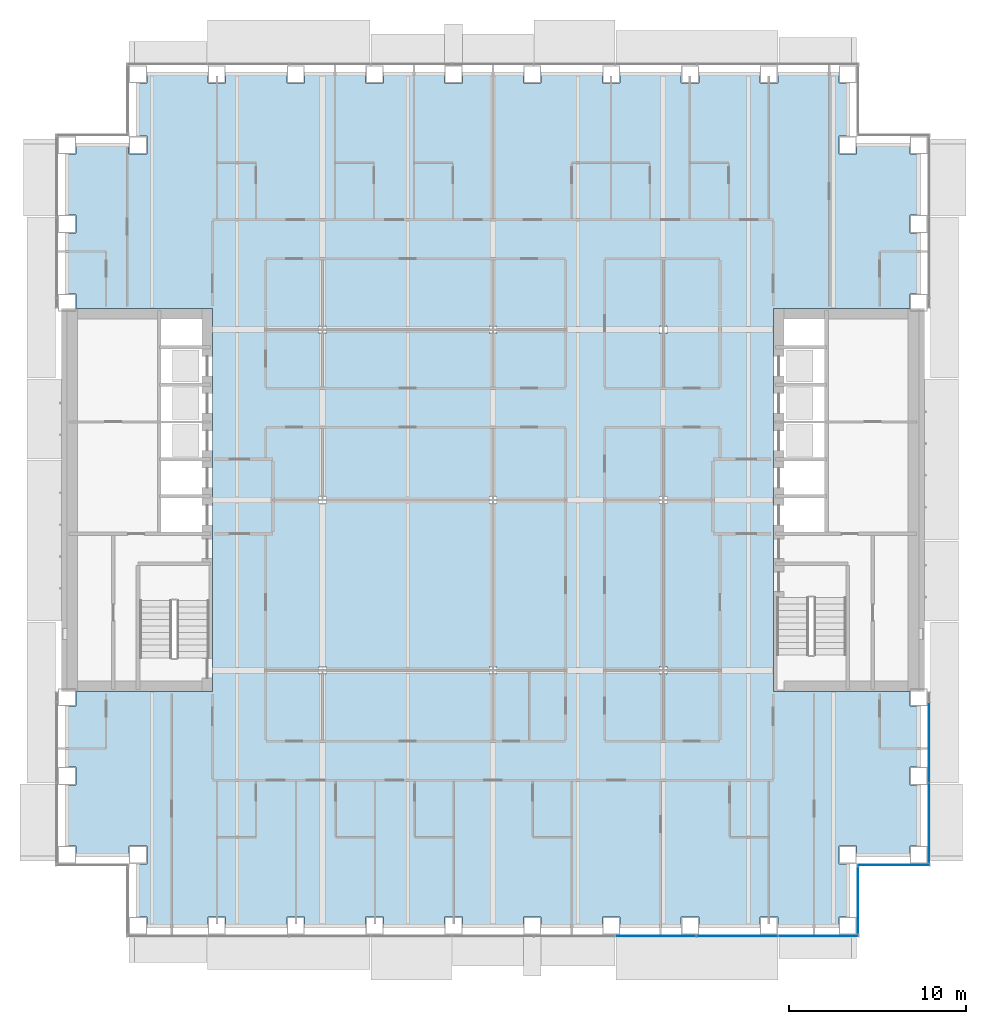
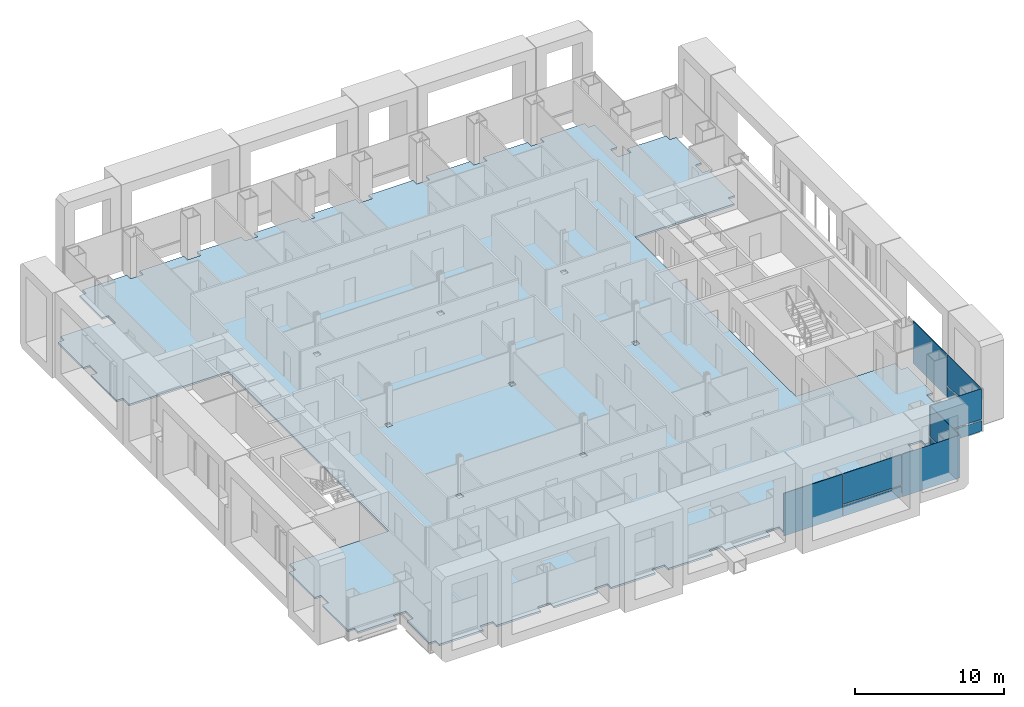
# One storey, part 11 of 25: 11 plates, 1 slab, 4 elements without a shape of their own.
"""IFC4 building model written with IfcOpenShell, lengths in metres."""

from ifc_helpers import new_model, si_unit, direction, frame, origin, origin_2d, place, context, subcontext, project, spatial, polyline, rectangle, outline, extrude, material, layer, layer_set, type_object, element, aggregate, save


model = new_model("IFC4")

# Units and contexts
model_context = context("Model", 3, precision=1e-05, world=origin(), true_north=direction((0.0, 1.0)))
body_context = subcontext(model_context, "Body", "Model", "MODEL_VIEW")
ifc_project = project(units=[si_unit("LENGTHUNIT", "METRE"), si_unit("AREAUNIT", "SQUARE_METRE"), si_unit("VOLUMEUNIT", "CUBIC_METRE"), si_unit("PLANEANGLEUNIT", "RADIAN"), si_unit("MASSUNIT", "GRAM", prefix="KILO")], contexts=[model_context])

# Site, building, storey
site_placement = place(None, origin())
site = spatial("IfcSite", under=ifc_project, at=site_placement, CompositionType="ELEMENT")
building_placement = place(site_placement, origin())
building = spatial("IfcBuilding", under=site, at=building_placement, Name="Cobrizo Arcos Hotel Tower", CompositionType="ELEMENT")
storey_placement = place(building_placement, frame((0.0, 0.0, 53.0)))
storey = spatial("IfcBuildingStorey", under=building, at=storey_placement, Name="L11", CompositionType="ELEMENT", Elevation=53.0)

# Curtain wall, plate
ifc_material_1 = material(Name="Aluminium 6063-T6 anodised bronze", Category="aluminium")
curtain_wall_type = type_object("IfcCurtainWallType", Name="CW-A guest facade", PredefinedType="NOTDEFINED", material=ifc_material_1)
curtain_wall_1_placement = place(storey_placement, origin())
curtain_wall_1 = element("IfcCurtainWall", 1, at=curtain_wall_1_placement, inside=storey, type_object=curtain_wall_type, Name="CW-A L11 S face", PredefinedType="NOTDEFINED")
ifc_material_2 = material(Name="Glass clear laminated low-e", Category="glass")
ifc_layer_1 = layer(ifc_material_2, 0.0400390625)
ifc_layer_set_1 = layer_set([ifc_layer_1], Name="CW-A glass panel")
plate_type_1 = type_object("IfcPlateType", Name="CW-A glass panel", PredefinedType="CURTAIN_PANEL", material=ifc_layer_set_1)
plate_1_placement = place(storey_placement, frame((13.7666015625, -24.574951171875, 0.990234375), z_axis=(0.0, 0.0, 1.0), x_axis=(1.0, 0.0, 0.0)))
plate_1 = element("IfcPlate", 2, at=plate_1_placement, type_object=plate_type_1, Name="CW-A glass panel 520", PredefinedType="CURTAIN_PANEL", context=body_context, shape_type="SweptSolid", body=[
    extrude(rectangle(XDim=4.52880859375, YDim=0.0400390625, at=origin_2d()), origin(), (0.0, 0.0, 1.0), 2.510009765625),
])

curtain_wall_2_placement = place(storey_placement, origin())
curtain_wall_2 = element("IfcCurtainWall", 3, at=curtain_wall_2_placement, inside=storey, type_object=curtain_wall_type, Name="CW-A L11 E face", PredefinedType="NOTDEFINED")
plate_2_placement = place(storey_placement, frame((20.574951171875, -22.574951171875, 0.990234375), z_axis=(0.0, 0.0, 1.0), x_axis=(0.0, 1.0, 0.0)))
plate_2 = element("IfcPlate", 4, at=plate_2_placement, type_object=plate_type_1, Name="CW-A glass panel 522", PredefinedType="CURTAIN_PANEL", context=body_context, shape_type="SweptSolid", body=[
    extrude(rectangle(XDim=3.72998046875, YDim=0.0400390625, at=origin_2d()), origin(), (0.0, 0.0, 1.0), 2.510009765625),
])

curtain_wall_3_placement = place(storey_placement, origin())
curtain_wall_3 = element("IfcCurtainWall", 5, at=curtain_wall_3_placement, inside=storey, type_object=curtain_wall_type, Name="CW-A L11 S face", PredefinedType="NOTDEFINED")
plate_3_placement = place(storey_placement, frame((22.574951171875, -20.574951171875, 0.990234375), z_axis=(0.0, 0.0, 1.0), x_axis=(1.0, 0.0, 0.0)))
plate_3 = element("IfcPlate", 6, at=plate_3_placement, type_object=plate_type_1, Name="CW-A glass panel 523", PredefinedType="CURTAIN_PANEL", context=body_context, shape_type="SweptSolid", body=[
    extrude(rectangle(XDim=4.030029296875, YDim=0.0400390625, at=origin_2d()), origin(), (0.0, 0.0, 1.0), 2.510009765625),
])

curtain_wall_4_placement = place(storey_placement, origin())
curtain_wall_4 = element("IfcCurtainWall", 7, at=curtain_wall_4_placement, inside=storey, type_object=curtain_wall_type, Name="CW-A L11 E face", PredefinedType="NOTDEFINED")
plate_4_placement = place(storey_placement, frame((24.574951171875, -18.207275390625, 0.990234375), z_axis=(0.0, 0.0, 1.0), x_axis=(0.0, 1.0, 0.0)))
plate_4 = element("IfcPlate", 8, at=plate_4_placement, type_object=plate_type_1, Name="CW-A glass panel 524", PredefinedType="CURTAIN_PANEL", context=body_context, shape_type="SweptSolid", body=[
    extrude(rectangle(XDim=4.465576171875, YDim=0.0400390625, at=origin_2d()), origin(), (0.0, 0.0, 1.0), 2.510009765625),
])

# Plate
ifc_material_3 = material(Name="Aluminium composite panel pale metal", Category="aluminium")
ifc_layer_2 = layer(ifc_material_3, 0.0400390625)
ifc_layer_set_2 = layer_set([ifc_layer_2], Name="CW-A spandrel panel")
plate_type_2 = type_object("IfcPlateType", Name="CW-A spandrel panel", PredefinedType="CURTAIN_PANEL", material=ifc_layer_set_2)
plate_5_placement = place(storey_placement, frame((9.177734375, -24.574951171875, 0.0), z_axis=(0.0, 0.0, 1.0), x_axis=(1.0, 0.0, 0.0)))
plate_5 = element("IfcPlate", 9, at=plate_5_placement, type_object=plate_type_2, Name="CW-A spandrel panel 519", PredefinedType="CURTAIN_PANEL", context=body_context, shape_type="SweptSolid", body=[
    extrude(rectangle(XDim=4.52880859375, YDim=0.0400390625, at=origin_2d()), origin(), (0.0, 0.0, 1.0), 3.5),
])

plate_6_placement = place(storey_placement, frame((13.7666015625, -24.574951171875, 0.0), z_axis=(0.0, 0.0, 1.0), x_axis=(1.0, 0.0, 0.0)))
plate_6 = element("IfcPlate", 10, at=plate_6_placement, type_object=plate_type_2, Name="CW-A spandrel panel 520", PredefinedType="CURTAIN_PANEL", context=body_context, shape_type="SweptSolid", body=[
    extrude(rectangle(XDim=4.52880859375, YDim=0.0400390625, at=origin_2d()), origin(), (0.0, 0.0, 1.0), 0.8701171875),
])

plate_7_placement = place(storey_placement, frame((18.340576171875, -24.574951171875, 0.0), z_axis=(0.0, 0.0, 1.0), x_axis=(1.0, 0.0, 0.0)))
plate_7 = element("IfcPlate", 11, at=plate_7_placement, type_object=plate_type_2, Name="CW-A spandrel panel 521", PredefinedType="CURTAIN_PANEL", context=body_context, shape_type="SweptSolid", body=[
    extrude(rectangle(XDim=4.498779296875, YDim=0.0400390625, at=origin_2d()), origin(), (0.0, 0.0, 1.0), 3.5),
])

aggregate(curtain_wall_1, [plate_5, plate_6, plate_1, plate_7])

plate_8_placement = place(storey_placement, frame((20.574951171875, -22.574951171875, 0.0), z_axis=(0.0, 0.0, 1.0), x_axis=(0.0, 1.0, 0.0)))
plate_8 = element("IfcPlate", 12, at=plate_8_placement, type_object=plate_type_2, Name="CW-A spandrel panel 522", PredefinedType="CURTAIN_PANEL", context=body_context, shape_type="SweptSolid", body=[
    extrude(rectangle(XDim=3.72998046875, YDim=0.0400390625, at=origin_2d()), origin(), (0.0, 0.0, 1.0), 0.8701171875),
])

aggregate(curtain_wall_2, [plate_8, plate_2])

plate_9_placement = place(storey_placement, frame((22.574951171875, -20.574951171875, 0.0), z_axis=(0.0, 0.0, 1.0), x_axis=(1.0, 0.0, 0.0)))
plate_9 = element("IfcPlate", 13, at=plate_9_placement, type_object=plate_type_2, Name="CW-A spandrel panel 523", PredefinedType="CURTAIN_PANEL", context=body_context, shape_type="SweptSolid", body=[
    extrude(rectangle(XDim=4.030029296875, YDim=0.0400390625, at=origin_2d()), origin(), (0.0, 0.0, 1.0), 0.8701171875),
])

aggregate(curtain_wall_3, [plate_9, plate_3])

plate_10_placement = place(storey_placement, frame((24.574951171875, -18.207275390625, 0.0), z_axis=(0.0, 0.0, 1.0), x_axis=(0.0, 1.0, 0.0)))
plate_10 = element("IfcPlate", 14, at=plate_10_placement, type_object=plate_type_2, Name="CW-A spandrel panel 524", PredefinedType="CURTAIN_PANEL", context=body_context, shape_type="SweptSolid", body=[
    extrude(rectangle(XDim=4.465576171875, YDim=0.0400390625, at=origin_2d()), origin(), (0.0, 0.0, 1.0), 0.8701171875),
])

plate_11_placement = place(storey_placement, frame((24.574951171875, -13.666748046875, 0.0), z_axis=(0.0, 0.0, 1.0), x_axis=(0.0, 1.0, 0.0)))
plate_11 = element("IfcPlate", 15, at=plate_11_placement, type_object=plate_type_2, Name="CW-A spandrel panel 525", PredefinedType="CURTAIN_PANEL", context=body_context, shape_type="SweptSolid", body=[
    extrude(rectangle(XDim=4.49560546875, YDim=0.0400390625, at=origin_2d()), origin(), (0.0, 0.0, 1.0), 3.5),
])

aggregate(curtain_wall_4, [plate_10, plate_4, plate_11])

# Slab
ifc_material_4 = material(Name="Concrete f'c 35 MPa", Category="concrete")
ifc_layer_3 = layer(ifc_material_4, 0.14990234375)
ifc_layer_set_3 = layer_set([ifc_layer_3], Name="Composite floor slab 150 f'c 35")
slab_type = type_object("IfcSlabType", Name="Composite floor slab 150 f'c 35", PredefinedType="FLOOR", material=ifc_layer_set_3)
slab_placement = place(storey_placement, frame((0.0, 0.0, -0.14990234375)))
element("IfcSlab", 16, at=slab_placement, inside=storey, type_object=slab_type, Name="Floor slab S5, L11, no. 01", PredefinedType="FLOOR", context=body_context, shape_type="SweptSolid", body=[
    extrude(outline(polyline([(-19.5, -24.0), (-19.5, -23.5), (-20.0, -23.5), (-20.0, -20.5), (-19.5, -20.5), (-19.5, -19.5), (-20.5, -19.5), (-20.5, -20.0), (-23.5, -20.0), (-23.5, -19.5), (-24.0, -19.5), (-24.0, -16.055908203125), (-23.5, -16.055908203125), (-23.5, -15.055908203125), (-24.0, -15.055908203125), (-24.0, -11.611083984375), (-23.5, -11.611083984375), (-23.5, -10.800048828125), (-15.800048828125, -10.800048828125), (-15.800048828125, 10.800048828125), (-23.5, 10.800048828125), (-23.5, 11.611083984375), (-24.0, 11.611083984375), (-24.0, 15.055908203125), (-23.5, 15.055908203125), (-23.5, 16.055908203125), (-24.0, 16.055908203125), (-24.0, 19.5), (-23.5, 19.5), (-23.5, 20.0), (-20.5, 20.0), (-20.5, 19.5), (-19.5, 19.5), (-19.5, 20.5), (-20.0, 20.5), (-20.0, 23.5), (-19.5, 23.5), (-19.5, 24.0), (-16.055908203125, 24.0), (-16.055908203125, 23.5), (-15.055908203125, 23.5), (-15.055908203125, 24.0), (-11.611083984375, 24.0), (-11.611083984375, 23.5), (-10.611083984375, 23.5), (-10.611083984375, 24.0), (-7.1669921875, 24.0), (-7.1669921875, 23.5), (-6.1669921875, 23.5), (-6.1669921875, 24.0), (-2.721923828125, 24.0), (-2.721923828125, 23.5), (-1.721923828125, 23.5), (-1.721923828125, 24.0), (1.721923828125, 24.0), (1.721923828125, 23.5), (2.721923828125, 23.5), (2.721923828125, 24.0), (6.1669921875, 24.0), (6.1669921875, 23.5), (7.1669921875, 23.5), (7.1669921875, 24.0), (10.611083984375, 24.0), (10.611083984375, 23.5), (11.611083984375, 23.5), (11.611083984375, 24.0), (15.055908203125, 24.0), (15.055908203125, 23.5), (16.055908203125, 23.5), (16.055908203125, 24.0), (19.5, 24.0), (19.5, 23.5), (20.0, 23.5), (20.0, 20.5), (19.5, 20.5), (19.5, 19.5), (20.5, 19.5), (20.5, 20.0), (23.5, 20.0), (23.5, 19.5), (24.0, 19.5), (24.0, 16.055908203125), (23.5, 16.055908203125), (23.5, 15.055908203125), (24.0, 15.055908203125), (24.0, 11.611083984375), (23.5, 11.611083984375), (23.5, 10.800048828125), (15.800048828125, 10.800048828125), (15.800048828125, -10.800048828125), (23.5, -10.800048828125), (23.5, -11.611083984375), (24.0, -11.611083984375), (24.0, -15.055908203125), (23.5, -15.055908203125), (23.5, -16.055908203125), (24.0, -16.055908203125), (24.0, -19.5), (23.5, -19.5), (23.5, -20.0), (20.5, -20.0), (20.5, -19.5), (19.5, -19.5), (19.5, -20.5), (20.0, -20.5), (20.0, -23.5), (19.5, -23.5), (19.5, -24.0), (16.055908203125, -24.0), (16.055908203125, -23.5), (15.055908203125, -23.5), (15.055908203125, -24.0), (11.611083984375, -24.0), (11.611083984375, -23.5), (10.611083984375, -23.5), (10.611083984375, -24.0), (7.1669921875, -24.0), (7.1669921875, -23.5), (6.1669921875, -23.5), (6.1669921875, -24.0), (2.721923828125, -24.0), (2.721923828125, -23.5), (1.721923828125, -23.5), (1.721923828125, -24.0), (-1.721923828125, -24.0), (-1.721923828125, -23.5), (-2.721923828125, -23.5), (-2.721923828125, -24.0), (-6.1669921875, -24.0), (-6.1669921875, -23.5), (-7.1669921875, -23.5), (-7.1669921875, -24.0), (-10.611083984375, -24.0), (-10.611083984375, -23.5), (-11.611083984375, -23.5), (-11.611083984375, -24.0), (-15.055908203125, -24.0), (-15.055908203125, -23.5), (-16.055908203125, -23.5), (-16.055908203125, -24.0), (-19.5, -24.0)]), holes=[polyline([(-9.3955078125, 9.3955078125), (-9.3955078125, 9.804443359375), (-9.804443359375, 9.804443359375), (-9.804443359375, 9.3955078125), (-9.3955078125, 9.3955078125)]), polyline([(-9.3955078125, -9.804443359375), (-9.3955078125, -9.3955078125), (-9.804443359375, -9.3955078125), (-9.804443359375, -9.804443359375), (-9.3955078125, -9.804443359375)]), polyline([(-0.204345703125, -9.804443359375), (0.204345703125, -9.804443359375), (0.204345703125, -9.3955078125), (-0.204345703125, -9.3955078125), (-0.204345703125, -9.804443359375)]), polyline([(9.3955078125, -9.804443359375), (9.804443359375, -9.804443359375), (9.804443359375, -9.3955078125), (9.3955078125, -9.3955078125), (9.3955078125, -9.804443359375)]), polyline([(-9.3955078125, -0.204345703125), (-9.3955078125, 0.204345703125), (-9.804443359375, 0.204345703125), (-9.804443359375, -0.204345703125), (-9.3955078125, -0.204345703125)]), polyline([(-0.204345703125, -0.204345703125), (0.204345703125, -0.204345703125), (0.204345703125, 0.204345703125), (-0.204345703125, 0.204345703125), (-0.204345703125, -0.204345703125)]), polyline([(9.3955078125, -0.204345703125), (9.804443359375, -0.204345703125), (9.804443359375, 0.204345703125), (9.3955078125, 0.204345703125), (9.3955078125, -0.204345703125)]), polyline([(0.204345703125, 9.3955078125), (0.204345703125, 9.804443359375), (-0.204345703125, 9.804443359375), (-0.204345703125, 9.3955078125), (0.204345703125, 9.3955078125)]), polyline([(9.3955078125, 9.3955078125), (9.804443359375, 9.3955078125), (9.804443359375, 9.804443359375), (9.3955078125, 9.804443359375), (9.3955078125, 9.3955078125)])]), origin(), (0.0, 0.0, 1.0), 0.14990234375),
])

save(model, "model.ifc")
